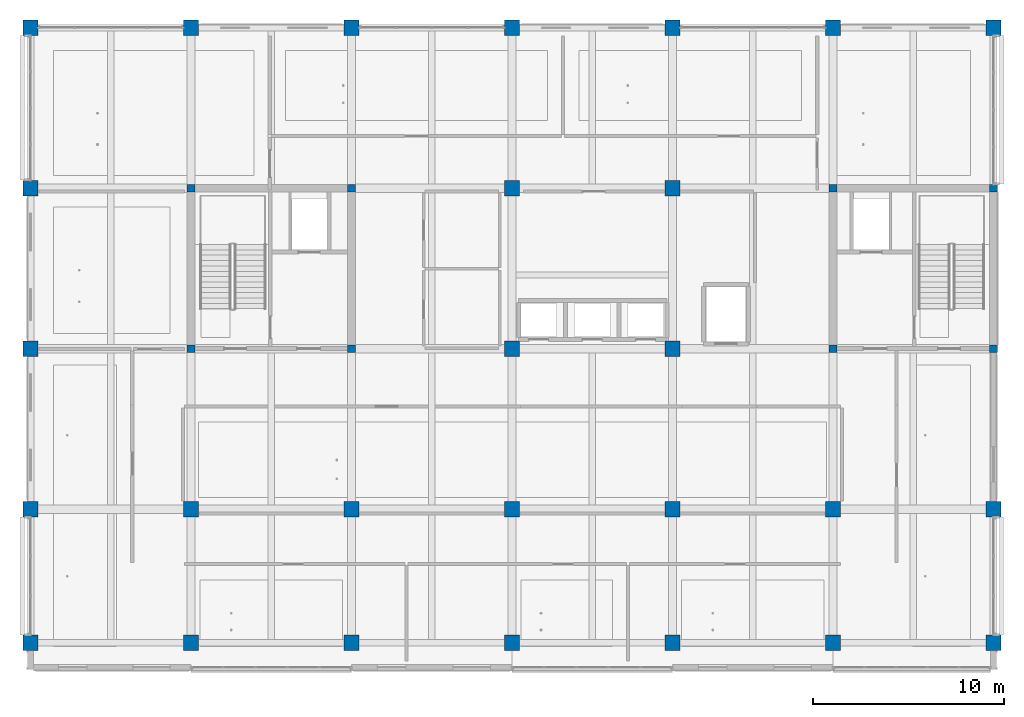
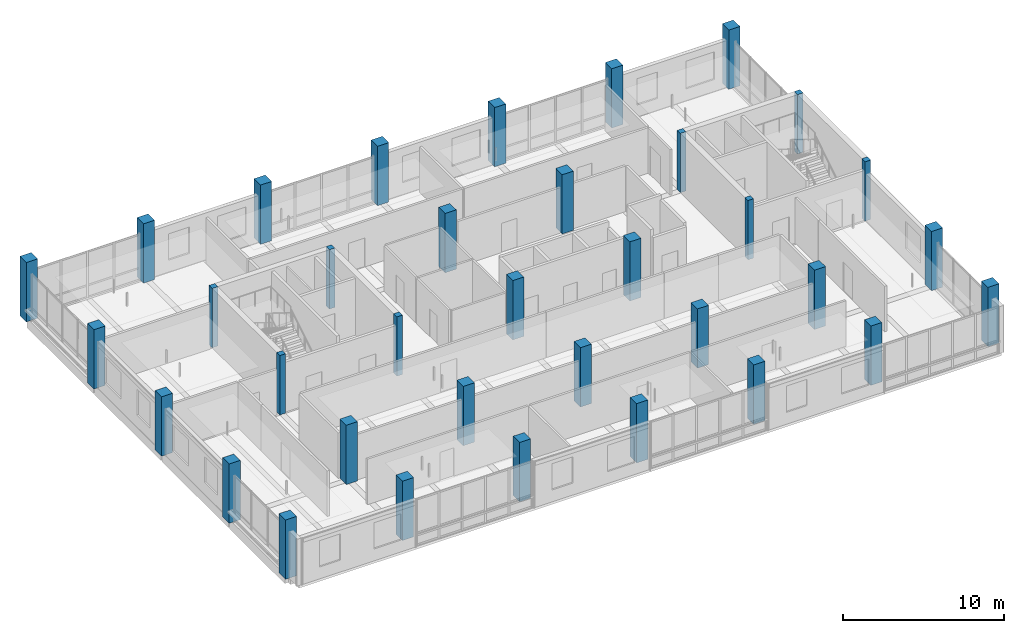
# One storey, part 1 of 34: 35 columns.
"""IFC4 building model written with IfcOpenShell, lengths in metres."""

from ifc_helpers import new_model, si_unit, direction, frame, origin, origin_2d, place, context, subcontext, project, spatial, rectangle, extrude, material, material_profile, profile_set, type_object, element, save


model = new_model("IFC4")

# Units and contexts
model_context = context("Model", 3, precision=1e-05, world=origin(), true_north=direction((0.0, 1.0)))
body_context = subcontext(model_context, "Body", "Model", "MODEL_VIEW")
ifc_project = project(units=[si_unit("LENGTHUNIT", "METRE"), si_unit("AREAUNIT", "SQUARE_METRE"), si_unit("VOLUMEUNIT", "CUBIC_METRE"), si_unit("PLANEANGLEUNIT", "RADIAN"), si_unit("MASSUNIT", "GRAM", prefix="KILO")], contexts=[model_context])

# Site, building, storey
site_placement = place(None, origin())
site = spatial("IfcSite", under=ifc_project, at=site_placement, CompositionType="ELEMENT")
building_placement = place(site_placement, origin())
building = spatial("IfcBuilding", under=site, at=building_placement, Name="Telukmera Botanical Conservatory", CompositionType="ELEMENT")
storey_placement = place(building_placement, frame((0.0, 0.0, 37.5)))
storey = spatial("IfcBuildingStorey", under=building, at=storey_placement, Name="L08", CompositionType="ELEMENT", Elevation=37.5)

# Columns
ifc_material = material(Name="Concrete C50/60", Category="concrete")
ifc_material_profile_1 = material_profile(ifc_material, rectangle(XDim=0.39990234375, YDim=0.39990234375, at=origin_2d()), Name="RC 400x400")
ifc_profile_set_1 = profile_set([ifc_material_profile_1], Name="Concrete C50/60")
column_type_1 = type_object("IfcColumnType", Name="Col_C14", PredefinedType="COLUMN", material=ifc_profile_set_1)
for number, where, z_axis, x_axis, name in (
    (1, (58.800048828125, 26.0, 0.0), (0.0, 0.0, 1.0), (1.0, 0.0, 0.0), "Column V4-L08 (58.8,26.0)"),
    (2, (58.800048828125, 34.39990234375, 0.0), (0.0, 0.0, 1.0), (1.0, 0.0, 0.0), "Column V4-L08 (58.8,34.4)"),
    (3, (67.199951171875, 26.0, 0.0), (0.0, 0.0, 1.0), (1.0, 0.0, 0.0), "Column V4-L08 (67.2,26.0)"),
    (4, (67.199951171875, 34.39990234375, 0.0), (0.0, 0.0, 1.0), (1.0, 0.0, 0.0), "Column V4-L08 (67.2,34.4)"),
    (5, (92.39990234375, 26.0, 0.0), (0.0, 0.0, 1.0), (1.0, 0.0, 0.0), "Column V4-L08 (92.4,26.0)"),
    (6, (92.39990234375, 34.39990234375, 0.0), (0.0, 0.0, 1.0), (1.0, 0.0, 0.0), "Column V4-L08 (92.4,34.4)"),
    (7, (100.800048828125, 26.0, 0.0), (0.0, 0.0, 1.0), (1.0, 0.0, 0.0), "Column V4-L08 (100.8,26.0)"),
    (8, (100.800048828125, 34.39990234375, 0.0), (0.0, 0.0, 1.0), (1.0, 0.0, 0.0), "Column V4-L08 (100.8,34.4)"),
):
    element("IfcColumn", number, at=place(storey_placement, frame(where, z_axis=z_axis, x_axis=x_axis)), inside=storey, type_object=column_type_1, Name=name, PredefinedType="COLUMN", context=body_context, shape_type="SweptSolid", body=[
        extrude(rectangle(XDim=0.39990234375, YDim=0.39990234375, at=origin_2d()), origin(), (0.0, 0.0, 1.0), 4.5),
    ])
ifc_material_profile_2 = material_profile(ifc_material, rectangle(XDim=0.800048828125, YDim=0.800048828125, at=origin_2d()), Name="RC 800x800")
ifc_profile_set_2 = profile_set([ifc_material_profile_2], Name="Concrete C50/60")
column_type_2 = type_object("IfcColumnType", Name="Col_C7", PredefinedType="COLUMN", material=ifc_profile_set_2)
for number, where, z_axis, x_axis, name in (
    (9, (50.39990234375, 10.60009765625, 0.0), (0.0, 0.0, 1.0), (1.0, 0.0, 0.0), "Column V4-L08 (50.4,10.6)"),
    (10, (50.39990234375, 17.60009765625, 0.0), (0.0, 0.0, 1.0), (1.0, 0.0, 0.0), "Column V4-L08 (50.4,17.6)"),
    (11, (50.39990234375, 26.0, 0.0), (0.0, 0.0, 1.0), (1.0, 0.0, 0.0), "Column V4-L08 (50.4,26.0)"),
    (12, (50.39990234375, 34.39990234375, 0.0), (0.0, 0.0, 1.0), (1.0, 0.0, 0.0), "Column V4-L08 (50.4,34.4)"),
    (13, (50.39990234375, 42.800048828125, 0.0), (0.0, 0.0, 1.0), (1.0, 0.0, 0.0), "Column V4-L08 (50.4,42.8)"),
    (14, (58.800048828125, 10.60009765625, 0.0), (0.0, 0.0, 1.0), (1.0, 0.0, 0.0), "Column V4-L08 (58.8,10.6)"),
    (15, (58.800048828125, 17.60009765625, 0.0), (0.0, 0.0, 1.0), (1.0, 0.0, 0.0), "Column V4-L08 (58.8,17.6)"),
    (16, (58.800048828125, 42.800048828125, 0.0), (0.0, 0.0, 1.0), (1.0, 0.0, 0.0), "Column V4-L08 (58.8,42.8)"),
    (17, (67.199951171875, 10.60009765625, 0.0), (0.0, 0.0, 1.0), (1.0, 0.0, 0.0), "Column V4-L08 (67.2,10.6)"),
    (18, (67.199951171875, 17.60009765625, 0.0), (0.0, 0.0, 1.0), (1.0, 0.0, 0.0), "Column V4-L08 (67.2,17.6)"),
    (19, (67.199951171875, 42.800048828125, 0.0), (0.0, 0.0, 1.0), (1.0, 0.0, 0.0), "Column V4-L08 (67.2,42.8)"),
    (20, (75.60009765625, 10.60009765625, 0.0), (0.0, 0.0, 1.0), (1.0, 0.0, 0.0), "Column V4-L08 (75.6,10.6)"),
    (21, (75.60009765625, 17.60009765625, 0.0), (0.0, 0.0, 1.0), (1.0, 0.0, 0.0), "Column V4-L08 (75.6,17.6)"),
    (22, (75.60009765625, 26.0, 0.0), (0.0, 0.0, 1.0), (1.0, 0.0, 0.0), "Column V4-L08 (75.6,26.0)"),
    (23, (75.60009765625, 34.39990234375, 0.0), (0.0, 0.0, 1.0), (1.0, 0.0, 0.0), "Column V4-L08 (75.6,34.4)"),
    (24, (75.60009765625, 42.800048828125, 0.0), (0.0, 0.0, 1.0), (1.0, 0.0, 0.0), "Column V4-L08 (75.6,42.8)"),
    (25, (84.0, 10.60009765625, 0.0), (0.0, 0.0, 1.0), (1.0, 0.0, 0.0), "Column V4-L08 (84.0,10.6)"),
    (26, (84.0, 17.60009765625, 0.0), (0.0, 0.0, 1.0), (1.0, 0.0, 0.0), "Column V4-L08 (84.0,17.6)"),
    (27, (84.0, 26.0, 0.0), (0.0, 0.0, 1.0), (1.0, 0.0, 0.0), "Column V4-L08 (84.0,26.0)"),
    (28, (84.0, 34.39990234375, 0.0), (0.0, 0.0, 1.0), (1.0, 0.0, 0.0), "Column V4-L08 (84.0,34.4)"),
    (29, (84.0, 42.800048828125, 0.0), (0.0, 0.0, 1.0), (1.0, 0.0, 0.0), "Column V4-L08 (84.0,42.8)"),
    (30, (92.39990234375, 10.60009765625, 0.0), (0.0, 0.0, 1.0), (1.0, 0.0, 0.0), "Column V4-L08 (92.4,10.6)"),
    (31, (92.39990234375, 17.60009765625, 0.0), (0.0, 0.0, 1.0), (1.0, 0.0, 0.0), "Column V4-L08 (92.4,17.6)"),
    (32, (92.39990234375, 42.800048828125, 0.0), (0.0, 0.0, 1.0), (1.0, 0.0, 0.0), "Column V4-L08 (92.4,42.8)"),
    (33, (100.800048828125, 10.60009765625, 0.0), (0.0, 0.0, 1.0), (1.0, 0.0, 0.0), "Column V4-L08 (100.8,10.6)"),
    (34, (100.800048828125, 17.60009765625, 0.0), (0.0, 0.0, 1.0), (1.0, 0.0, 0.0), "Column V4-L08 (100.8,17.6)"),
    (35, (100.800048828125, 42.800048828125, 0.0), (0.0, 0.0, 1.0), (1.0, 0.0, 0.0), "Column V4-L08 (100.8,42.8)"),
):
    element("IfcColumn", number, at=place(storey_placement, frame(where, z_axis=z_axis, x_axis=x_axis)), inside=storey, type_object=column_type_2, Name=name, PredefinedType="COLUMN", context=body_context, shape_type="SweptSolid", body=[
        extrude(rectangle(XDim=0.800048828125, YDim=0.800048828125, at=origin_2d()), origin(), (0.0, 0.0, 1.0), 4.5),
    ])

save(model, "model.ifc")
